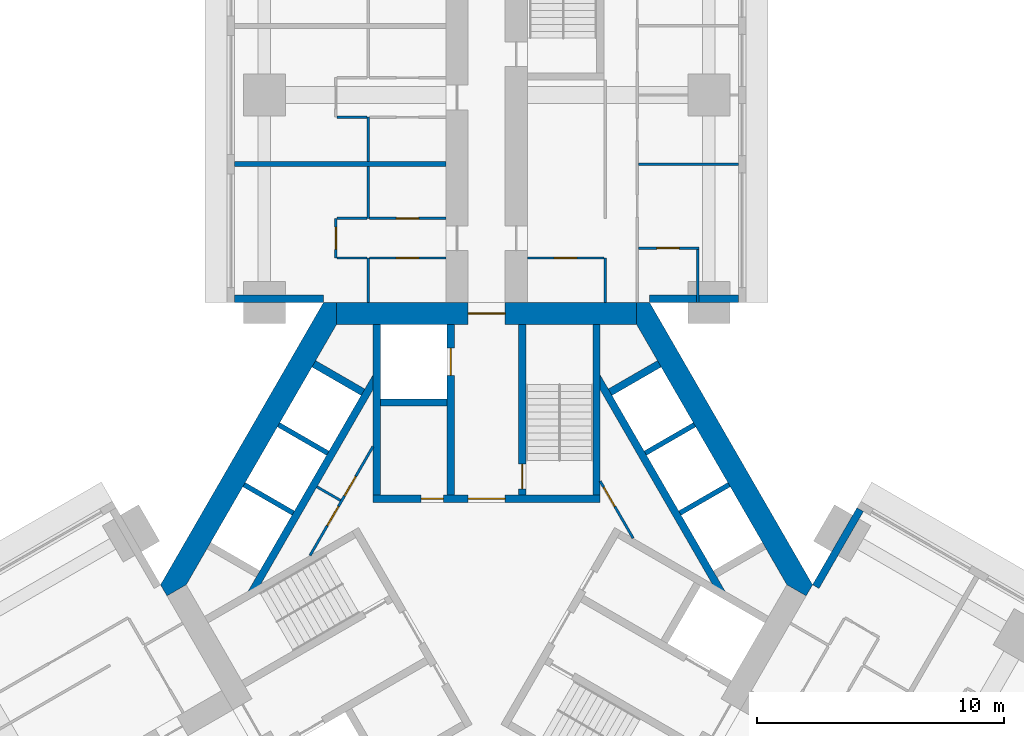
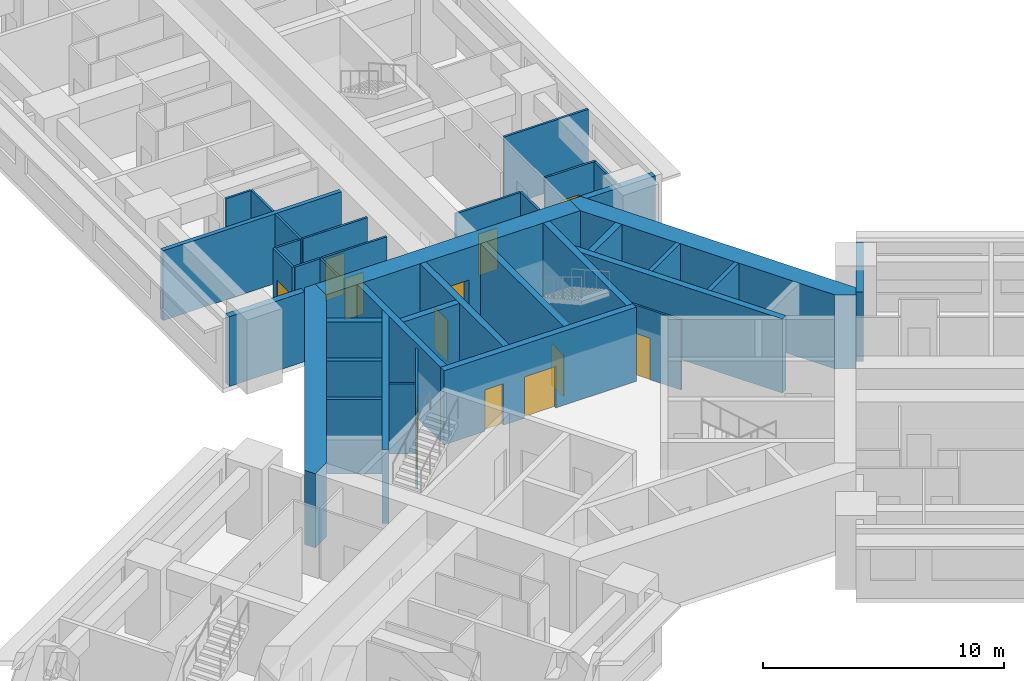
# One storey, part 8 of 17: 38 walls, 13 doors, 13 openings.
"""IFC4 building model written with IfcOpenShell, lengths in metres."""

from ifc_helpers import new_model, si_unit, direction, frame, frame_2d, origin, place, context, subcontext, project, spatial, polyline, rectangle, outline, extrude, material, layer, layer_set, type_object, element, fill, save


model = new_model("IFC4")

# Units and contexts
model_context = context("Model", 3, precision=1e-05, world=origin(), true_north=direction((0.0, 1.0)))
body_context = subcontext(model_context, "Body", "Model", "MODEL_VIEW")
ifc_project = project(units=[si_unit("LENGTHUNIT", "METRE"), si_unit("AREAUNIT", "SQUARE_METRE"), si_unit("VOLUMEUNIT", "CUBIC_METRE"), si_unit("PLANEANGLEUNIT", "RADIAN"), si_unit("MASSUNIT", "GRAM", prefix="KILO")], contexts=[model_context])

# Site, building, storey
site_placement = place(None, origin())
site = spatial("IfcSite", under=ifc_project, at=site_placement, CompositionType="ELEMENT")
building_placement = place(site_placement, origin())
building = spatial("IfcBuilding", under=site, at=building_placement, Name="Impinga Residences", CompositionType="ELEMENT")
storey_placement = place(building_placement, frame((0.0, 0.0, 29.75)))
storey = spatial("IfcBuildingStorey", under=building, at=storey_placement, Name="L06", CompositionType="ELEMENT", Elevation=29.75)

# Wall, opening, door
ifc_material_1 = material(Name="Concrete blockwork", Category="masonry")
ifc_layer_1 = layer(ifc_material_1, 0.10009765625)
ifc_layer_set_1 = layer_set([ifc_layer_1], Name="CP1 core room partition, blockwork 100")
wall_type_1 = type_object("IfcWallType", Name="CP1 core room partition, blockwork 100", PredefinedType="PARTITIONING", material=ifc_layer_set_1)
wall_1_placement = place(storey_placement, frame((4.60009765625, 4.195556640625, 0.0), z_axis=(0.0, 0.0, 1.0), x_axis=(0.500018294232, -0.866014841347, 0.0)))
wall_1 = element("IfcWall", 1, at=wall_1_placement, inside=storey, type_object=wall_type_1, Name="Core room partition, blockwork L06:CORE:mid:FP", PredefinedType="PARTITIONING", context=body_context, shape_type="SweptSolid", body=[
    extrude(rectangle(XDim=2.6669921875, YDim=0.10009765625, at=frame_2d((1.33349609375, 0.0))), origin(), (0.0, 0.0, 1.0), 3.530029296875),
])
opening_1_placement = place(wall_1_placement, frame((0.283447265625, 0.0, 0.0)))
opening_1 = element("IfcOpeningElement", 2, at=opening_1_placement, cuts=wall_1, Name="Opening D6", PredefinedType="OPENING", context=body_context, shape_type="SweptSolid", body=[
    extrude(rectangle(XDim=0.89990234375, YDim=2.10009765625, at=frame_2d((0.449951171875, 1.050048828125))), frame((0.0, 0.06005859375, 0.0), z_axis=(0.0, -1.0, 0.0), x_axis=(1.0, 0.0, 0.0)), (0.0, 0.0, 1.0), 0.1201171875),
])
ifc_material_2 = material(Name="Timber door set", Category="wood")
door_type_1 = type_object("IfcDoorType", Name="D6 riser and store door 900x2100", OperationType="SINGLE_SWING_LEFT", PredefinedType="DOOR", material=ifc_material_2)
door_1_placement = place(opening_1_placement, origin())
door_1 = element("IfcDoor", 3, at=door_1_placement, inside=storey, type_object=door_type_1, Name="Refuse and recycling room door", OperationType="SINGLE_SWING_LEFT", OverallHeight=2.10009765625, OverallWidth=0.89990234375, PredefinedType="DOOR", context=body_context, shape_type="SweptSolid", body=[
    extrude(rectangle(XDim=0.89990234375, YDim=2.10009765625, at=frame_2d((0.449951171875, 1.050048828125))), frame((0.0, 0.02490234375, 0.0), z_axis=(0.0, -1.0, 0.0), x_axis=(1.0, 0.0, 0.0)), (0.0, 0.0, 1.0), 0.050048828125),
])
fill(opening_1, door_1)

# Wall, openings, doors
wall_2_placement = place(storey_placement, frame((-7.14599609375, 1.185791015625, 0.0), z_axis=(0.0, 0.0, 1.0), x_axis=(0.499975622669, 0.866039477586, 0.0)))
wall_2 = element("IfcWall", 4, at=wall_2_placement, inside=storey, type_object=wall_type_1, Name="Core room partition, blockwork L06:CORE:high:FP", PredefinedType="PARTITIONING", context=body_context, shape_type="SweptSolid", body=[
    extrude(rectangle(XDim=5.092041015625, YDim=0.10009765625, at=frame_2d((2.5458984375, 0.0))), origin(), (0.0, 0.0, 1.0), 3.530029296875),
])
opening_2_placement = place(wall_2_placement, frame((1.39599609375, 0.0, 0.0)))
opening_2 = element("IfcOpeningElement", 5, at=opening_2_placement, cuts=wall_2, Name="Opening D6", PredefinedType="OPENING", context=body_context, shape_type="SweptSolid", body=[
    extrude(rectangle(XDim=0.89990234375, YDim=2.10009765625, at=frame_2d((0.449951171875, 1.050048828125))), frame((0.0, 0.06005859375, 0.0), z_axis=(0.0, -1.0, 0.0), x_axis=(1.0, 0.0, 0.0)), (0.0, 0.0, 1.0), 0.1201171875),
])
opening_3_placement = place(wall_2_placement, frame((2.7958984375, 0.0, 0.0)))
opening_3 = element("IfcOpeningElement", 6, at=opening_3_placement, cuts=wall_2, Name="Opening D6", PredefinedType="OPENING", context=body_context, shape_type="SweptSolid", body=[
    extrude(rectangle(XDim=0.89990234375, YDim=2.10009765625, at=frame_2d((0.449951171875, 1.050048828125))), frame((0.0, 0.06005859375, 0.0), z_axis=(0.0, -1.0, 0.0), x_axis=(1.0, 0.0, 0.0)), (0.0, 0.0, 1.0), 0.1201171875),
])
door_2_placement = place(opening_2_placement, origin())
door_2 = element("IfcDoor", 7, at=door_2_placement, inside=storey, type_object=door_type_1, Name="Housekeeping store door", OperationType="SINGLE_SWING_LEFT", OverallHeight=2.10009765625, OverallWidth=0.89990234375, PredefinedType="DOOR", context=body_context, shape_type="SweptSolid", body=[
    extrude(rectangle(XDim=0.89990234375, YDim=2.10009765625, at=frame_2d((0.449951171875, 1.050048828125))), frame((0.0, 0.02490234375, 0.0), z_axis=(0.0, -1.0, 0.0), x_axis=(1.0, 0.0, 0.0)), (0.0, 0.0, 1.0), 0.050048828125),
])
fill(opening_2, door_2)
door_3_placement = place(opening_3_placement, origin())
door_3 = element("IfcDoor", 8, at=door_3_placement, inside=storey, type_object=door_type_1, Name="Linen store door", OperationType="SINGLE_SWING_RIGHT", OverallHeight=2.10009765625, OverallWidth=0.89990234375, PredefinedType="DOOR", context=body_context, shape_type="SweptSolid", body=[
    extrude(rectangle(XDim=0.89990234375, YDim=2.10009765625, at=frame_2d((0.449951171875, 1.050048828125))), frame((0.0, 0.02490234375, 0.0), z_axis=(0.0, -1.0, 0.0), x_axis=(1.0, 0.0, 0.0)), (0.0, 0.0, 1.0), 0.050048828125),
])
fill(opening_3, door_3)

# Walls
wall_3_placement = place(storey_placement, frame((-5.916259765625, 3.415771484375, 0.0), z_axis=(0.0, 0.0, 1.0), x_axis=(-0.866008176907, 0.50002983664, 0.0)))
element("IfcWall", 9, at=wall_3_placement, inside=storey, type_object=wall_type_1, Name="Core room partition, blockwork L06:CORE:high:FS", PredefinedType="PARTITIONING", context=body_context, shape_type="SweptSolid", body=[
    extrude(rectangle(XDim=1.10009765625, YDim=0.10009765625, at=frame_2d((0.550048828125, 0.0))), origin(), (0.0, 0.0, 1.0), 3.530029296875),
])
ifc_material_3 = material(Name="Terracotta rainscreen on blockwork", Category="masonry")
ifc_layer_2 = layer(ifc_material_3, 0.300048828125)
ifc_layer_set_2 = layer_set([ifc_layer_2], Name="EW1 external wall, terracotta rainscreen on blockwork 300")
wall_type_2 = type_object("IfcWallType", Name="EW1 external wall, terracotta rainscreen on blockwork 300", PredefinedType="SOLIDWALL", material=ifc_layer_set_2)
for number, where, z_axis, x_axis, name in (
    (10, (-6.60009765625, 11.58154296875, 0.0), (0.0, 0.0, 1.0), (-1.0, 0.0, 0.0), "External wall EW1 L06"),
    (11, (10.199951171875, 11.58154296875, 0.0), (0.0, 0.0, 1.0), (-1.0, 0.0, 0.0), "External wall EW1 L06"),
):
    element("IfcWall", number, at=place(storey_placement, frame(where, z_axis=z_axis, x_axis=x_axis)), inside=storey, type_object=wall_type_2, Name=name, PredefinedType="SOLIDWALL", context=body_context, shape_type="SweptSolid", body=[
        extrude(rectangle(XDim=3.599853515625, YDim=0.300048828125, at=frame_2d((1.7998046875, 0.0))), origin(), (0.0, 0.0, 1.0), 3.530029296875),
    ])
wall_4_placement = place(storey_placement, frame((13.329833984375, -0.074951171875, 0.0), z_axis=(0.0, 0.0, 1.0), x_axis=(0.500012057535, 0.866018442252, 0.0)))
element("IfcWall", 12, at=wall_4_placement, inside=storey, type_object=wall_type_2, Name="External wall EW1 L06", PredefinedType="SOLIDWALL", context=body_context, shape_type="SweptSolid", body=[
    extrude(rectangle(XDim=3.60009765625, YDim=0.300048828125, at=frame_2d((1.800048828125, 0.0))), origin(), (0.0, 0.0, 1.0), 3.530029296875),
])
ifc_material_4 = material(Name="Gypsum board on steel studs", Category="steel")
ifc_layer_3 = layer(ifc_material_4, 0.10009765625)
ifc_layer_set_3 = layer_set([ifc_layer_3], Name="Gypsum board on steel studs")
wall_type_3 = type_object("IfcWallType", Name="IP1 partition 100", PredefinedType="PARTITIONING", material=ifc_layer_set_3)
wall_5_placement = place(storey_placement, frame((-4.800048828125, 11.431640625, 0.0), z_axis=(0.0, 0.0, 1.0), x_axis=(0.0, 1.0, 0.0)))
element("IfcWall", 13, at=wall_5_placement, inside=storey, type_object=wall_type_3, Name="Partition L06-NA1:DIV0", PredefinedType="PARTITIONING", context=body_context, shape_type="SweptSolid", body=[
    extrude(rectangle(XDim=1.7998046875, YDim=0.10009765625, at=frame_2d((0.89990234375, 0.0))), origin(), (0.0, 0.0, 1.0), 3.530029296875),
])
wall_6_placement = place(storey_placement, frame((-4.800048828125, 14.83154296875, 0.0), z_axis=(0.0, 0.0, 1.0), x_axis=(0.0, 1.0, 0.0)))
element("IfcWall", 14, at=wall_6_placement, inside=storey, type_object=wall_type_3, Name="Partition L06-NA1:DIV1", PredefinedType="PARTITIONING", context=body_context, shape_type="SweptSolid", body=[
    extrude(rectangle(XDim=2.10009765625, YDim=0.10009765625, at=frame_2d((1.050048828125, 0.0))), origin(), (0.0, 0.0, 1.0), 3.530029296875),
])

# Wall, opening, door
wall_7_placement = place(storey_placement, frame((-6.10009765625, 13.2314453125, 0.0), z_axis=(0.0, 0.0, 1.0), x_axis=(0.0, 1.0, 0.0)))
wall_7 = element("IfcWall", 15, at=wall_7_placement, inside=storey, type_object=wall_type_3, Name="Partition L06-NA1:STRIP", PredefinedType="PARTITIONING", context=body_context, shape_type="SweptSolid", body=[
    extrude(rectangle(XDim=1.60009765625, YDim=0.10009765625, at=frame_2d((0.800048828125, 0.0))), origin(), (0.0, 0.0, 1.0), 3.530029296875),
])
opening_4_placement = place(wall_7_placement, frame((0.35009765625, 0.0, 0.0)))
opening_4 = element("IfcOpeningElement", 16, at=opening_4_placement, cuts=wall_7, Name="Opening D2", PredefinedType="OPENING", context=body_context, shape_type="SweptSolid", body=[
    extrude(rectangle(XDim=0.89990234375, YDim=2.10009765625, at=frame_2d((0.449951171875, 1.050048828125))), frame((0.0, 0.06005859375, 0.0), z_axis=(0.0, -1.0, 0.0), x_axis=(1.0, 0.0, 0.0)), (0.0, 0.0, 1.0), 0.1201171875),
])
door_type_2 = type_object("IfcDoorType", Name="D2 internal door 900x2100", OperationType="SINGLE_SWING_LEFT", PredefinedType="DOOR", material=ifc_material_2)
door_4_placement = place(opening_4_placement, origin())
door_4 = element("IfcDoor", 17, at=door_4_placement, inside=storey, type_object=door_type_2, Name="Apartment L06-NA1 room door", OperationType="SINGLE_SWING_LEFT", OverallHeight=2.10009765625, OverallWidth=0.89990234375, PredefinedType="DOOR", context=body_context, shape_type="SweptSolid", body=[
    extrude(rectangle(XDim=0.89990234375, YDim=2.10009765625, at=frame_2d((0.449951171875, 1.050048828125))), frame((0.0, 0.02490234375, 0.0), z_axis=(0.0, -1.0, 0.0), x_axis=(1.0, 0.0, 0.0)), (0.0, 0.0, 1.0), 0.050048828125),
])
fill(opening_4, door_4)

# Walls
for number, where, z_axis, x_axis, name in (
    (18, (-4.85009765625, 13.2314453125, 0.0), (0.0, 0.0, 1.0), (-1.0, 0.0, 0.0), "Partition L06-NA1:SE0"),
    (19, (-4.85009765625, 14.83154296875, 0.0), (0.0, 0.0, 1.0), (-1.0, 0.0, 0.0), "Partition L06-NA1:SE1"),
):
    element("IfcWall", number, at=place(storey_placement, frame(where, z_axis=z_axis, x_axis=x_axis)), inside=storey, type_object=wall_type_3, Name=name, PredefinedType="PARTITIONING", context=body_context, shape_type="SweptSolid", body=[
        extrude(rectangle(XDim=1.199951171875, YDim=0.10009765625, at=frame_2d((0.60009765625, 0.0))), origin(), (0.0, 0.0, 1.0), 3.530029296875),
    ])

# Wall, opening, door
wall_8_placement = place(storey_placement, frame((-1.64990234375, 13.2314453125, 0.0), z_axis=(0.0, 0.0, 1.0), x_axis=(-1.0, 0.0, 0.0)))
wall_8 = element("IfcWall", 20, at=wall_8_placement, inside=storey, type_object=wall_type_3, Name="Partition L06-NA1:IB1", PredefinedType="PARTITIONING", context=body_context, shape_type="SweptSolid", body=[
    extrude(rectangle(XDim=3.10009765625, YDim=0.10009765625, at=frame_2d((1.550048828125, 0.0))), origin(), (0.0, 0.0, 1.0), 3.530029296875),
])
opening_5_placement = place(wall_8_placement, frame((1.10009765625, 0.0, 0.0)))
opening_5 = element("IfcOpeningElement", 21, at=opening_5_placement, cuts=wall_8, Name="Opening D2", PredefinedType="OPENING", context=body_context, shape_type="SweptSolid", body=[
    extrude(rectangle(XDim=0.89990234375, YDim=2.10009765625, at=frame_2d((0.449951171875, 1.050048828125))), frame((0.0, 0.06005859375, 0.0), z_axis=(0.0, -1.0, 0.0), x_axis=(1.0, 0.0, 0.0)), (0.0, 0.0, 1.0), 0.1201171875),
])
door_5_placement = place(opening_5_placement, origin())
door_5 = element("IfcDoor", 22, at=door_5_placement, inside=storey, type_object=door_type_2, Name="Apartment L06-NA1 bathroom door", OperationType="SINGLE_SWING_LEFT", OverallHeight=2.10009765625, OverallWidth=0.89990234375, PredefinedType="DOOR", context=body_context, shape_type="SweptSolid", body=[
    extrude(rectangle(XDim=0.89990234375, YDim=2.10009765625, at=frame_2d((0.449951171875, 1.050048828125))), frame((0.0, 0.02490234375, 0.0), z_axis=(0.0, -1.0, 0.0), x_axis=(1.0, 0.0, 0.0)), (0.0, 0.0, 1.0), 0.050048828125),
])
fill(opening_5, door_5)

wall_9_placement = place(storey_placement, frame((-1.64990234375, 14.83154296875, 0.0), z_axis=(0.0, 0.0, 1.0), x_axis=(-1.0, 0.0, 0.0)))
wall_9 = element("IfcWall", 23, at=wall_9_placement, inside=storey, type_object=wall_type_3, Name="Partition L06-NA1:IB2", PredefinedType="PARTITIONING", context=body_context, shape_type="SweptSolid", body=[
    extrude(rectangle(XDim=3.10009765625, YDim=0.10009765625, at=frame_2d((1.550048828125, 0.0))), origin(), (0.0, 0.0, 1.0), 3.530029296875),
])
opening_6_placement = place(wall_9_placement, frame((1.10009765625, 0.0, 0.0)))
opening_6 = element("IfcOpeningElement", 24, at=opening_6_placement, cuts=wall_9, Name="Opening D2", PredefinedType="OPENING", context=body_context, shape_type="SweptSolid", body=[
    extrude(rectangle(XDim=0.89990234375, YDim=2.10009765625, at=frame_2d((0.449951171875, 1.050048828125))), frame((0.0, 0.06005859375, 0.0), z_axis=(0.0, -1.0, 0.0), x_axis=(1.0, 0.0, 0.0)), (0.0, 0.0, 1.0), 0.1201171875),
])
door_6_placement = place(opening_6_placement, origin())
door_6 = element("IfcDoor", 25, at=door_6_placement, inside=storey, type_object=door_type_2, Name="Apartment L06-NA1 WC door", OperationType="SINGLE_SWING_LEFT", OverallHeight=2.10009765625, OverallWidth=0.89990234375, PredefinedType="DOOR", context=body_context, shape_type="SweptSolid", body=[
    extrude(rectangle(XDim=0.89990234375, YDim=2.10009765625, at=frame_2d((0.449951171875, 1.050048828125))), frame((0.0, 0.02490234375, 0.0), z_axis=(0.0, -1.0, 0.0), x_axis=(1.0, 0.0, 0.0)), (0.0, 0.0, 1.0), 0.050048828125),
])
fill(opening_6, door_6)

# Walls
wall_10_placement = place(storey_placement, frame((-4.800048828125, 17.131591796875, 0.0), z_axis=(0.0, 0.0, 1.0), x_axis=(0.0, 1.0, 0.0)))
element("IfcWall", 26, at=wall_10_placement, inside=storey, type_object=wall_type_3, Name="Partition L06-NA2:DIV0", PredefinedType="PARTITIONING", context=body_context, shape_type="SweptSolid", body=[
    extrude(rectangle(XDim=1.800048828125, YDim=0.10009765625, at=frame_2d((0.89990234375, 0.0))), origin(), (0.0, 0.0, 1.0), 3.530029296875),
])
wall_11_placement = place(storey_placement, frame((-4.85009765625, 18.931640625, 0.0), z_axis=(0.0, 0.0, 1.0), x_axis=(-1.0, 0.0, 0.0)))
element("IfcWall", 27, at=wall_11_placement, inside=storey, type_object=wall_type_3, Name="Partition L06-NA2:SE0", PredefinedType="PARTITIONING", context=body_context, shape_type="SweptSolid", body=[
    extrude(rectangle(XDim=1.199951171875, YDim=0.10009765625, at=frame_2d((0.60009765625, 0.0))), origin(), (0.0, 0.0, 1.0), 3.530029296875),
])
wall_12_placement = place(storey_placement, frame((4.800048828125, 11.431640625, 0.0), z_axis=(0.0, 0.0, 1.0), x_axis=(0.0, 1.0, 0.0)))
element("IfcWall", 28, at=wall_12_placement, inside=storey, type_object=wall_type_3, Name="Partition L06-NF1:DIV0", PredefinedType="PARTITIONING", context=body_context, shape_type="SweptSolid", body=[
    extrude(rectangle(XDim=1.7998046875, YDim=0.10009765625, at=frame_2d((0.89990234375, 0.0))), origin(), (0.0, 0.0, 1.0), 3.530029296875),
])

# Wall, opening, door
wall_13_placement = place(storey_placement, frame((1.64990234375, 13.2314453125, 0.0), z_axis=(0.0, 0.0, 1.0), x_axis=(1.0, 0.0, 0.0)))
wall_13 = element("IfcWall", 29, at=wall_13_placement, inside=storey, type_object=wall_type_3, Name="Partition L06-NF1:IB1", PredefinedType="PARTITIONING", context=body_context, shape_type="SweptSolid", body=[
    extrude(rectangle(XDim=3.10009765625, YDim=0.10009765625, at=frame_2d((1.550048828125, 0.0))), origin(), (0.0, 0.0, 1.0), 3.530029296875),
])
opening_7_placement = place(wall_13_placement, frame((1.10009765625, 0.0, 0.0)))
opening_7 = element("IfcOpeningElement", 30, at=opening_7_placement, cuts=wall_13, Name="Opening D2", PredefinedType="OPENING", context=body_context, shape_type="SweptSolid", body=[
    extrude(rectangle(XDim=0.89990234375, YDim=2.10009765625, at=frame_2d((0.449951171875, 1.050048828125))), frame((0.0, 0.06005859375, 0.0), z_axis=(0.0, -1.0, 0.0), x_axis=(1.0, 0.0, 0.0)), (0.0, 0.0, 1.0), 0.1201171875),
])
door_7_placement = place(opening_7_placement, origin())
door_7 = element("IfcDoor", 31, at=door_7_placement, inside=storey, type_object=door_type_2, Name="Apartment L06-NF1 bathroom door", OperationType="SINGLE_SWING_LEFT", OverallHeight=2.10009765625, OverallWidth=0.89990234375, PredefinedType="DOOR", context=body_context, shape_type="SweptSolid", body=[
    extrude(rectangle(XDim=0.89990234375, YDim=2.10009765625, at=frame_2d((0.449951171875, 1.050048828125))), frame((0.0, 0.02490234375, 0.0), z_axis=(0.0, -1.0, 0.0), x_axis=(1.0, 0.0, 0.0)), (0.0, 0.0, 1.0), 0.050048828125),
])
fill(opening_7, door_7)

# Wall
wall_14_placement = place(storey_placement, frame((6.14990234375, 17.031494140625, 0.0), z_axis=(0.0, 0.0, 1.0), x_axis=(1.0, 0.0, 0.0)))
element("IfcWall", 32, at=wall_14_placement, inside=storey, type_object=wall_type_3, Name="Partition L06-NF1:OB1", PredefinedType="PARTITIONING", context=body_context, shape_type="SweptSolid", body=[
    extrude(rectangle(XDim=4.050048828125, YDim=0.10009765625, at=frame_2d((2.02490234375, 0.0))), origin(), (0.0, 0.0, 1.0), 3.530029296875),
])

# Wall, opening, door
wall_15_placement = place(storey_placement, frame((6.14990234375, 13.631591796875, 0.0), z_axis=(0.0, 0.0, 1.0), x_axis=(1.0, 0.0, 0.0)))
wall_15 = element("IfcWall", 33, at=wall_15_placement, inside=storey, type_object=wall_type_3, Name="Partition L06-NF1:EN1", PredefinedType="PARTITIONING", context=body_context, shape_type="SweptSolid", body=[
    extrude(rectangle(XDim=2.4501953125, YDim=0.10009765625, at=frame_2d((1.22509765625, 0.0))), origin(), (0.0, 0.0, 1.0), 3.530029296875),
])
opening_8_placement = place(wall_15_placement, frame((0.75, 0.0, 0.0)))
opening_8 = element("IfcOpeningElement", 34, at=opening_8_placement, cuts=wall_15, Name="Opening D2", PredefinedType="OPENING", context=body_context, shape_type="SweptSolid", body=[
    extrude(rectangle(XDim=0.89990234375, YDim=2.10009765625, at=frame_2d((0.449951171875, 1.050048828125))), frame((0.0, 0.06005859375, 0.0), z_axis=(0.0, -1.0, 0.0), x_axis=(1.0, 0.0, 0.0)), (0.0, 0.0, 1.0), 0.1201171875),
])
door_8_placement = place(opening_8_placement, origin())
door_8 = element("IfcDoor", 35, at=door_8_placement, inside=storey, type_object=door_type_2, Name="Apartment L06-NF1 en-suite door", OperationType="SINGLE_SWING_LEFT", OverallHeight=2.10009765625, OverallWidth=0.89990234375, PredefinedType="DOOR", context=body_context, shape_type="SweptSolid", body=[
    extrude(rectangle(XDim=0.89990234375, YDim=2.10009765625, at=frame_2d((0.449951171875, 1.050048828125))), frame((0.0, 0.02490234375, 0.0), z_axis=(0.0, -1.0, 0.0), x_axis=(1.0, 0.0, 0.0)), (0.0, 0.0, 1.0), 0.050048828125),
])
fill(opening_8, door_8)

# Walls
wall_16_placement = place(storey_placement, frame((8.550048828125, 11.431640625, 0.0), z_axis=(0.0, 0.0, 1.0), x_axis=(0.0, 1.0, 0.0)))
element("IfcWall", 36, at=wall_16_placement, inside=storey, type_object=wall_type_3, Name="Partition L06-NF1:EN2", PredefinedType="PARTITIONING", context=body_context, shape_type="SweptSolid", body=[
    extrude(rectangle(XDim=2.14990234375, YDim=0.10009765625, at=frame_2d((1.074951171875, 0.0))), origin(), (0.0, 0.0, 1.0), 3.530029296875),
])
ifc_layer_4 = layer(ifc_material_1, 0.199951171875)
ifc_layer_set_4 = layer_set([ifc_layer_4], Name="PW1 party wall between apartments 200")
wall_type_4 = type_object("IfcWallType", Name="PW1 party wall between apartments 200", PredefinedType="SOLIDWALL", material=ifc_layer_set_4)
wall_17_placement = place(storey_placement, frame((-1.64990234375, 17.031494140625, 0.0), z_axis=(0.0, 0.0, 1.0), x_axis=(-1.0, 0.0, 0.0)))
element("IfcWall", 37, at=wall_17_placement, inside=storey, type_object=wall_type_4, Name="Party wall between apartments L06-NA1:PARTY", PredefinedType="SOLIDWALL", context=body_context, shape_type="SweptSolid", body=[
    extrude(rectangle(XDim=8.550048828125, YDim=0.199951171875, at=frame_2d((4.27490234375, 0.0))), origin(), (0.0, 0.0, 1.0), 3.530029296875),
])

# Wall, opening, door
ifc_material_5 = material(Name="Concrete C70/85", Category="concrete")
ifc_layer_5 = layer(ifc_material_5, 0.89990234375)
ifc_layer_set_5 = layer_set([ifc_layer_5], Name="Concrete C70/85")
wall_type_5 = type_object("IfcWallType", Name="SW1 core wall 900", PredefinedType="SHEAR", material=ifc_layer_set_5)
wall_18_placement = place(storey_placement, frame((-6.080322265625, 10.9814453125, 0.0), z_axis=(0.0, 0.0, 1.0), x_axis=(1.0, 0.0, 0.0)))
wall_18 = element("IfcWall", 38, at=wall_18_placement, inside=storey, type_object=wall_type_5, Name="Core wall SW1 N:FACE L06", PredefinedType="SHEAR", context=body_context, shape_type="SweptSolid", body=[
    extrude(rectangle(XDim=12.16064453125, YDim=0.89990234375, at=frame_2d((6.080322265625, 0.0))), origin(), (0.0, 0.0, 1.0), 3.75),
])
opening_9_placement = place(wall_18_placement, frame((5.330322265625, 0.0, 0.0)))
opening_9 = element("IfcOpeningElement", 39, at=opening_9_placement, cuts=wall_18, Name="Opening D4", PredefinedType="OPENING", context=body_context, shape_type="SweptSolid", body=[
    extrude(rectangle(XDim=1.5, YDim=2.10009765625, at=frame_2d((0.75, 1.050048828125))), frame((0.0, 0.4599609375, 0.0), z_axis=(0.0, -1.0, 0.0), x_axis=(1.0, 0.0, 0.0)), (0.0, 0.0, 1.0), 0.919921875),
])
door_type_3 = type_object("IfcDoorType", Name="D4 lobby door pair 1500x2100", OperationType="DOUBLE_DOOR_DOUBLE_SWING", PredefinedType="DOOR", material=ifc_material_2)
door_9_placement = place(opening_9_placement, origin())
door_9 = element("IfcDoor", 40, at=door_9_placement, inside=storey, type_object=door_type_3, Name="Lobby door N", OperationType="DOUBLE_DOOR_DOUBLE_SWING", OverallHeight=2.10009765625, OverallWidth=1.5, PredefinedType="DOOR", context=body_context, shape_type="SweptSolid", body=[
    extrude(rectangle(XDim=1.5, YDim=2.10009765625, at=frame_2d((0.75, 1.050048828125))), frame((0.0, 0.02490234375, 0.0), z_axis=(0.0, -1.0, 0.0), x_axis=(1.0, 0.0, 0.0)), (0.0, 0.0, 1.0), 0.050048828125),
])
fill(opening_9, door_9)

# Walls
wall_19_placement = place(storey_placement, origin())
element("IfcWall", 41, at=wall_19_placement, inside=storey, type_object=wall_type_5, Name="Core wall SW1 W:EXPOSED L06", PredefinedType="SHEAR", context=body_context, shape_type="SweptSolid", body=[
    extrude(outline(polyline([(13.199951171875, 0.0), (6.60009765625, 11.431640625), (6.080322265625, 11.431640625), (6.080322265625, 10.531494140625), (12.160888671875, 0.0), (12.940185546875, -0.449951171875), (13.199951171875, 0.0)])), origin(), (0.0, 0.0, 1.0), 3.75),
])
wall_20_placement = place(storey_placement, origin())
element("IfcWall", 42, at=wall_20_placement, inside=storey, type_object=wall_type_5, Name="Core wall SW1 E:EXPOSED L06", PredefinedType="SHEAR", context=body_context, shape_type="SweptSolid", body=[
    extrude(outline(polyline([(-6.60009765625, 11.431640625), (-13.199951171875, 0.0), (-12.940185546875, -0.449951171875), (-12.160888671875, 0.0), (-6.080322265625, 10.531494140625), (-6.080322265625, 11.431640625), (-6.60009765625, 11.431640625)])), origin(), (0.0, 0.0, 1.0), 3.75),
])

# Wall, openings, doors
ifc_layer_6 = layer(ifc_material_5, 0.300048828125)
ifc_layer_set_6 = layer_set([ifc_layer_6], Name="Concrete C70/85")
wall_type_6 = type_object("IfcWallType", Name="SW5 core inner wall, stairs, shafts and lobbies 300", PredefinedType="SHEAR", material=ifc_layer_set_6)
wall_21_placement = place(storey_placement, frame((-4.60009765625, 3.47998046875, 0.0), z_axis=(0.0, 0.0, 1.0), x_axis=(1.0, 0.0, 0.0)))
wall_21 = element("IfcWall", 43, at=wall_21_placement, inside=storey, type_object=wall_type_6, Name="Core wall SW5 N:ZONE L06", PredefinedType="SHEAR", context=body_context, shape_type="SweptSolid", body=[
    extrude(rectangle(XDim=9.2001953125, YDim=0.300048828125, at=frame_2d((4.60009765625, 0.0))), origin(), (0.0, 0.0, 1.0), 3.75),
])
opening_10_placement = place(wall_21_placement, frame((3.85009765625, 0.0, 0.0)))
opening_10 = element("IfcOpeningElement", 44, at=opening_10_placement, cuts=wall_21, Name="Opening D4", PredefinedType="OPENING", context=body_context, shape_type="SweptSolid", body=[
    extrude(rectangle(XDim=1.5, YDim=2.10009765625, at=frame_2d((0.75, 1.050048828125))), frame((0.0, 0.159912109375, 0.0), z_axis=(0.0, -1.0, 0.0), x_axis=(1.0, 0.0, 0.0)), (0.0, 0.0, 1.0), 0.320068359375),
])
opening_11_placement = place(wall_21_placement, frame((1.949951171875, 0.0, 0.0)))
opening_11 = element("IfcOpeningElement", 45, at=opening_11_placement, cuts=wall_21, Name="Opening D6", PredefinedType="OPENING", context=body_context, shape_type="SweptSolid", body=[
    extrude(rectangle(XDim=0.89990234375, YDim=2.10009765625, at=frame_2d((0.449951171875, 1.050048828125))), frame((0.0, 0.159912109375, 0.0), z_axis=(0.0, -1.0, 0.0), x_axis=(1.0, 0.0, 0.0)), (0.0, 0.0, 1.0), 0.320068359375),
])
door_10_placement = place(opening_10_placement, origin())
door_10 = element("IfcDoor", 46, at=door_10_placement, inside=storey, type_object=door_type_3, Name="Firefighting lobby door N", OperationType="DOUBLE_DOOR_DOUBLE_SWING", OverallHeight=2.10009765625, OverallWidth=1.5, PredefinedType="DOOR", context=body_context, shape_type="SweptSolid", body=[
    extrude(rectangle(XDim=1.5, YDim=2.10009765625, at=frame_2d((0.75, 1.050048828125))), frame((0.0, 0.02490234375, 0.0), z_axis=(0.0, -1.0, 0.0), x_axis=(1.0, 0.0, 0.0)), (0.0, 0.0, 1.0), 0.050048828125),
])
fill(opening_10, door_10)
door_11_placement = place(opening_11_placement, origin())
door_11 = element("IfcDoor", 47, at=door_11_placement, inside=storey, type_object=door_type_1, Name="Riser door N", OperationType="SINGLE_SWING_LEFT", OverallHeight=2.10009765625, OverallWidth=0.89990234375, PredefinedType="DOOR", context=body_context, shape_type="SweptSolid", body=[
    extrude(rectangle(XDim=0.89990234375, YDim=2.10009765625, at=frame_2d((0.449951171875, 1.050048828125))), frame((0.0, 0.02490234375, 0.0), z_axis=(0.0, -1.0, 0.0), x_axis=(1.0, 0.0, 0.0)), (0.0, 0.0, 1.0), 0.050048828125),
])
fill(opening_11, door_11)

# Wall, opening, door
wall_22_placement = place(storey_placement, frame((1.449951171875, 3.6298828125, 0.0), z_axis=(0.0, 0.0, 1.0), x_axis=(0.0, 1.0, 0.0)))
wall_22 = element("IfcWall", 48, at=wall_22_placement, inside=storey, type_object=wall_type_6, Name="Core wall SW5 N:ST-IN L06", PredefinedType="SHEAR", context=body_context, shape_type="SweptSolid", body=[
    extrude(rectangle(XDim=6.901611328125, YDim=0.300048828125, at=frame_2d((3.45068359375, 0.0))), origin(), (0.0, 0.0, 1.0), 3.75),
])
opening_12_placement = place(wall_22_placement, frame((0.25, 0.0, 0.0)))
opening_12 = element("IfcOpeningElement", 49, at=opening_12_placement, cuts=wall_22, Name="Opening D5", PredefinedType="OPENING", context=body_context, shape_type="SweptSolid", body=[
    extrude(rectangle(XDim=1.0, YDim=2.10009765625, at=frame_2d((0.5, 1.050048828125))), frame((0.0, 0.159912109375, 0.0), z_axis=(0.0, -1.0, 0.0), x_axis=(1.0, 0.0, 0.0)), (0.0, 0.0, 1.0), 0.320068359375),
])
door_type_4 = type_object("IfcDoorType", Name="D5 stair door 1000x2100", OperationType="SINGLE_SWING_LEFT", PredefinedType="DOOR", material=ifc_material_2)
door_12_placement = place(opening_12_placement, origin())
door_12 = element("IfcDoor", 50, at=door_12_placement, inside=storey, type_object=door_type_4, Name="Stair door N", OperationType="SINGLE_SWING_LEFT", OverallHeight=2.10009765625, OverallWidth=1.0, PredefinedType="DOOR", context=body_context, shape_type="SweptSolid", body=[
    extrude(rectangle(XDim=1.0, YDim=2.10009765625, at=frame_2d((0.5, 1.050048828125))), frame((0.0, 0.02490234375, 0.0), z_axis=(0.0, -1.0, 0.0), x_axis=(1.0, 0.0, 0.0)), (0.0, 0.0, 1.0), 0.050048828125),
])
fill(opening_12, door_12)

# Wall
wall_23_placement = place(storey_placement, frame((4.449951171875, 3.6298828125, 0.0), z_axis=(0.0, 0.0, 1.0), x_axis=(0.0, 1.0, 0.0)))
element("IfcWall", 51, at=wall_23_placement, inside=storey, type_object=wall_type_6, Name="Core wall SW5 N:ST-OUT L06", PredefinedType="SHEAR", context=body_context, shape_type="SweptSolid", body=[
    extrude(rectangle(XDim=6.901611328125, YDim=0.300048828125, at=frame_2d((3.45068359375, 0.0))), origin(), (0.0, 0.0, 1.0), 3.75),
])

# Wall, opening, door
wall_24_placement = place(storey_placement, frame((-1.449951171875, 3.6298828125, 0.0), z_axis=(0.0, 0.0, 1.0), x_axis=(0.0, 1.0, 0.0)))
wall_24 = element("IfcWall", 52, at=wall_24_placement, inside=storey, type_object=wall_type_6, Name="Core wall SW5 N:FF-IN L06", PredefinedType="SHEAR", context=body_context, shape_type="SweptSolid", body=[
    extrude(rectangle(XDim=6.901611328125, YDim=0.300048828125, at=frame_2d((3.45068359375, 0.0))), origin(), (0.0, 0.0, 1.0), 3.75),
])
opening_13_placement = place(wall_24_placement, frame((4.85009765625, 0.0, 0.0)))
opening_13 = element("IfcOpeningElement", 53, at=opening_13_placement, cuts=wall_24, Name="Opening LD2", PredefinedType="OPENING", context=body_context, shape_type="SweptSolid", body=[
    extrude(rectangle(XDim=1.10009765625, YDim=2.10009765625, at=frame_2d((0.550048828125, 1.050048828125))), frame((0.0, 0.159912109375, 0.0), z_axis=(0.0, -1.0, 0.0), x_axis=(1.0, 0.0, 0.0)), (0.0, 0.0, 1.0), 0.320068359375),
])
ifc_material_6 = material(Name="Steel lift landing door", Category="steel")
door_type_5 = type_object("IfcDoorType", Name="LD2 firefighting lift landing door 1100x2100", OperationType="DOUBLE_DOOR_SLIDING", PredefinedType="DOOR", material=ifc_material_6)
door_13_placement = place(opening_13_placement, origin())
door_13 = element("IfcDoor", 54, at=door_13_placement, inside=storey, type_object=door_type_5, Name="Firefighting lift landing door F1", OperationType="DOUBLE_DOOR_SLIDING", OverallHeight=2.10009765625, OverallWidth=1.10009765625, PredefinedType="DOOR", context=body_context, shape_type="SweptSolid", body=[
    extrude(rectangle(XDim=1.10009765625, YDim=2.10009765625, at=frame_2d((0.550048828125, 1.050048828125))), frame((0.0, 0.02490234375, 0.0), z_axis=(0.0, -1.0, 0.0), x_axis=(1.0, 0.0, 0.0)), (0.0, 0.0, 1.0), 0.050048828125),
])
fill(opening_13, door_13)

# Walls
wall_25_placement = place(storey_placement, frame((-4.449951171875, 3.6298828125, 0.0), z_axis=(0.0, 0.0, 1.0), x_axis=(0.0, 1.0, 0.0)))
element("IfcWall", 55, at=wall_25_placement, inside=storey, type_object=wall_type_6, Name="Core wall SW5 N:FF-OUT L06", PredefinedType="SHEAR", context=body_context, shape_type="SweptSolid", body=[
    extrude(rectangle(XDim=6.901611328125, YDim=0.300048828125, at=frame_2d((3.45068359375, 0.0))), origin(), (0.0, 0.0, 1.0), 3.75),
])
wall_26_placement = place(storey_placement, frame((-4.300048828125, 7.3798828125, 0.0), z_axis=(0.0, 0.0, 1.0), x_axis=(1.0, 0.0, 0.0)))
element("IfcWall", 56, at=wall_26_placement, inside=storey, type_object=wall_type_6, Name="Core wall SW5 N:FF-RS L06", PredefinedType="SHEAR", context=body_context, shape_type="SweptSolid", body=[
    extrude(rectangle(XDim=2.699951171875, YDim=0.300048828125, at=frame_2d((1.35009765625, 0.0))), origin(), (0.0, 0.0, 1.0), 3.75),
])
wall_27_placement = place(storey_placement, frame((4.449951171875, 8.455322265625, 0.0), z_axis=(0.0, 0.0, 1.0), x_axis=(0.500002290144, -0.866024081565, 0.0)))
element("IfcWall", 57, at=wall_27_placement, inside=storey, type_object=wall_type_6, Name="Core wall SW5 W:BANK-FRONT L06", PredefinedType="SHEAR", context=body_context, shape_type="SweptSolid", body=[
    extrude(rectangle(XDim=10.1953125, YDim=0.300048828125, at=frame_2d((5.09765625, 0.0))), origin(), (0.0, 0.0, 1.0), 3.75),
])
wall_28_placement = place(storey_placement, frame((5.003662109375, 7.79638671875, 0.0), z_axis=(0.0, 0.0, 1.0), x_axis=(0.866053019151, 0.499952165731, 0.0)))
element("IfcWall", 58, at=wall_28_placement, inside=storey, type_object=wall_type_6, Name="Core wall SW5 W:BANK-L L06", PredefinedType="SHEAR", context=body_context, shape_type="SweptSolid", body=[
    extrude(rectangle(XDim=2.300048828125, YDim=0.300048828125, at=frame_2d((1.14990234375, 0.0))), origin(), (0.0, 0.0, 1.0), 3.75),
])
wall_29_placement = place(storey_placement, frame((-9.547607421875, -0.3740234375, 0.0), z_axis=(0.0, 0.0, 1.0), x_axis=(0.500002290144, 0.866024081565, 0.0)))
element("IfcWall", 59, at=wall_29_placement, inside=storey, type_object=wall_type_6, Name="Core wall SW5 E:BANK-FRONT L06", PredefinedType="SHEAR", context=body_context, shape_type="SweptSolid", body=[
    extrude(rectangle(XDim=10.1953125, YDim=0.300048828125, at=frame_2d((5.09765625, 0.0))), origin(), (0.0, 0.0, 1.0), 3.75),
])
wall_30_placement = place(storey_placement, frame((-5.003662109375, 7.79638671875, 0.0), z_axis=(0.0, 0.0, 1.0), x_axis=(-0.866053019151, 0.499952165731, 0.0)))
element("IfcWall", 60, at=wall_30_placement, inside=storey, type_object=wall_type_6, Name="Core wall SW5 E:BANK-R L06", PredefinedType="SHEAR", context=body_context, shape_type="SweptSolid", body=[
    extrude(rectangle(XDim=2.300048828125, YDim=0.300048828125, at=frame_2d((1.14990234375, 0.0))), origin(), (0.0, 0.0, 1.0), 3.75),
])
ifc_layer_7 = layer(ifc_material_5, 0.199951171875)
ifc_layer_set_7 = layer_set([ifc_layer_7], Name="Concrete C70/85")
wall_type_7 = type_object("IfcWallType", Name="SW6 lift shaft divider wall 200", PredefinedType="SHEAR", material=ifc_layer_set_7)
for number, where, z_axis, x_axis, name in (
    (61, (6.4287109375, 5.328125, 0.0), (0.0, 0.0, 1.0), (0.866007057882, 0.500031774688, 0.0), "Core wall SW6 W:BANK-D1 L06"),
    (62, (7.82861328125, 2.9033203125, 0.0), (0.0, 0.0, 1.0), (0.866053019151, 0.499952165731, 0.0), "Core wall SW6 W:BANK-D2 L06"),
    (63, (-7.82861328125, 2.9033203125, 0.0), (0.0, 0.0, 1.0), (-0.866053019151, 0.499952165731, 0.0), "Core wall SW6 E:BANK-D1 L06"),
    (64, (-6.4287109375, 5.328125, 0.0), (0.0, 0.0, 1.0), (-0.866007057882, 0.500031774688, 0.0), "Core wall SW6 E:BANK-D2 L06"),
):
    element("IfcWall", number, at=place(storey_placement, frame(where, z_axis=z_axis, x_axis=x_axis)), inside=storey, type_object=wall_type_7, Name=name, PredefinedType="SHEAR", context=body_context, shape_type="SweptSolid", body=[
        extrude(rectangle(XDim=2.300048828125, YDim=0.199951171875, at=frame_2d((1.14990234375, 0.0))), origin(), (0.0, 0.0, 1.0), 3.75),
    ])

save(model, "model.ifc")
